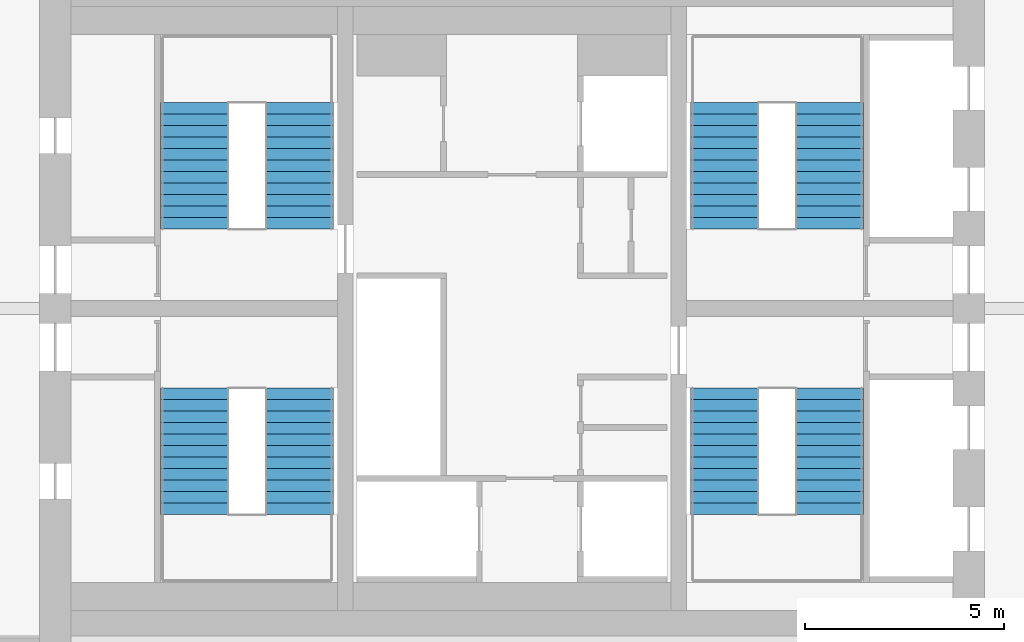
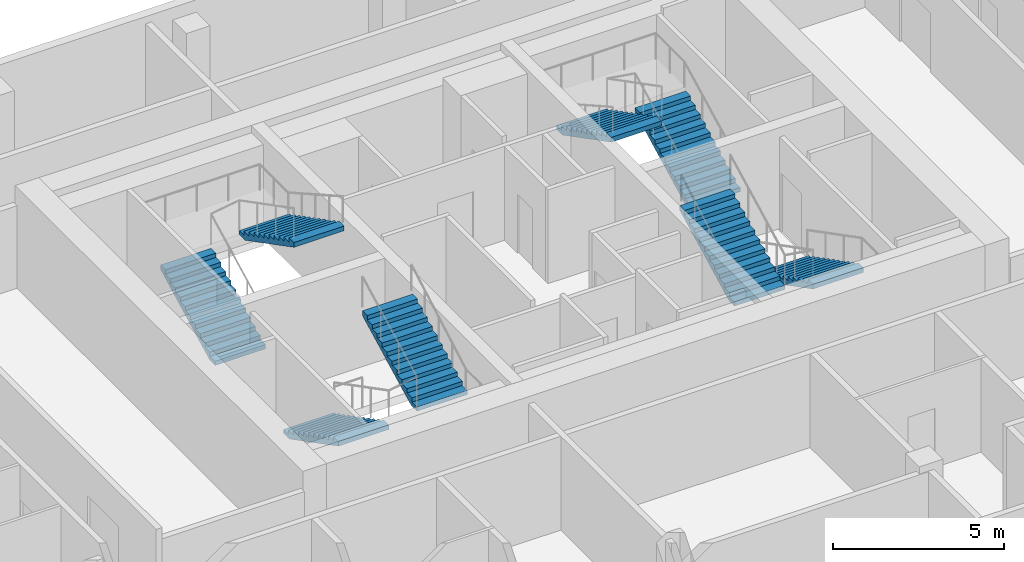
# One storey, part 30 of 31: 8 stair flights, 4 elements without a shape of their own.
"""IFC4 building model written with IfcOpenShell, lengths in metres."""

import ifcopenshell
import ifcopenshell.guid

model = None  # the IFC model being written
_history = None  # IfcOwnerHistory: only IFC2X3 demands one
_inside = {}  # id of a spatial element -> (the spatial element, [elements in it])
_under = {}  # id of a project, library or spatial element -> (it, [spatial elements below it])
_declared = {}  # id of a project -> (the project, [libraries it declares])
_typed = {}  # id of a type object -> (the type object, [elements of that type])
_made_of = {}  # id of a material, layer set ... -> (it, [elements and type objects made of it])


def new_model(schema):
    """Start an empty IFC model of exactly this schema.

    Asked for "IFC4X3", IfcOpenShell would pick the latest addendum, in which some entities
    have other attributes; the version numbers below select the first issue.
    IFC2X3 requires an IfcOwnerHistory on every rooted entity: one is made here for all.
    """
    global model, _history
    if schema == "IFC4X3":
        model = ifcopenshell.file(schema_version=(4, 3, 0, 0))
    else:
        model = ifcopenshell.file(schema=schema)
    _inside.clear()
    _under.clear()
    _declared.clear()
    _typed.clear()
    _made_of.clear()
    _history = None
    if model.schema == "IFC2X3":
        org = make("IfcOrganization", Name="unknown")
        user = make(
            "IfcPersonAndOrganization",
            ThePerson=make("IfcPerson", FamilyName="unknown"),
            TheOrganization=org,
        )
        app = make(
            "IfcApplication",
            ApplicationDeveloper=org,
            Version="unknown",
            ApplicationFullName="unknown",
            ApplicationIdentifier="unknown",
        )
        _history = make(
            "IfcOwnerHistory",
            OwningUser=user,
            OwningApplication=app,
            ChangeAction="ADDED",
            CreationDate=0,
        )
    return model


def make(cls, **values):
    """One entity of the class cls with the attributes given. An attribute that is None is left unset."""
    return model.create_entity(
        cls, **{name: value for name, value in values.items() if value is not None}
    )


def rooted(cls, **values):
    """An entity with a GlobalId (a new one), such as an element, a storey or a relation."""
    return make(cls, GlobalId=ifcopenshell.guid.new(), OwnerHistory=_history, **values)


def si_unit(unit_type, name, prefix=None):
    """IfcSIUnit, for example si_unit("LENGTHUNIT", "METRE", prefix="MILLI")."""
    return make("IfcSIUnit", UnitType=unit_type, Prefix=prefix, Name=name)


def assignment(units):
    """IfcUnitAssignment: the units of a project."""
    return None if units is None else make("IfcUnitAssignment", Units=units)


def point(xyz):
    """IfcCartesianPoint."""
    return None if xyz is None else make("IfcCartesianPoint", Coordinates=xyz)


def direction(xyz):
    """IfcDirection."""
    return None if xyz is None else make("IfcDirection", DirectionRatios=xyz)


def frame(location, z_axis=None, x_axis=None):
    """IfcAxis2Placement3D, a coordinate frame: its origin and axes. An axis left out is left unset."""
    return make(
        "IfcAxis2Placement3D",
        Location=point(location),
        Axis=direction(z_axis),
        RefDirection=direction(x_axis),
    )


def origin():
    """The frame at (0, 0, 0) with its axes left unset."""
    return frame((0.0, 0.0, 0.0))


def place(relative_to, where):
    """IfcLocalPlacement: puts the frame where relative to a parent placement (None: the world)."""
    return make(
        "IfcLocalPlacement", PlacementRelTo=relative_to, RelativePlacement=where
    )


def context(
    kind, dimensions, precision=None, world=None, true_north=None, identifier=None
):
    """IfcGeometricRepresentationContext, for example the 3D "Model" context."""
    return make(
        "IfcGeometricRepresentationContext",
        ContextIdentifier=identifier,
        ContextType=kind,
        CoordinateSpaceDimension=dimensions,
        Precision=precision,
        WorldCoordinateSystem=world,
        TrueNorth=true_north,
    )


def subcontext(parent, identifier, kind, view, scale=None):
    """IfcGeometricRepresentationSubContext, for example "Body" below "Model"."""
    return make(
        "IfcGeometricRepresentationSubContext",
        ContextIdentifier=identifier,
        ContextType=kind,
        ParentContext=parent,
        TargetScale=scale,
        TargetView=view,
    )


def project(units=None, contexts=None):
    """IfcProject with its units and contexts."""
    return rooted(
        "IfcProject",
        Name="project",
        RepresentationContexts=contexts,
        UnitsInContext=assignment(units),
    )


def spatial(cls, under=None, at=None, **own):
    """A site, building, storey or space (cls), placed at a placement, below another one or the project."""
    s = rooted(cls, ObjectPlacement=at, **own)
    if under is not None:
        _under.setdefault(under.id(), (under, []))[1].append(s)
    return s


def polyline(points):
    """IfcPolyline through the points."""
    return make("IfcPolyline", Points=[point(p) for p in points])


def outline(outer, holes=None, kind="AREA"):
    """IfcArbitraryClosedProfileDef: a profile drawn as a closed curve; with holes, ...WithVoids."""
    if holes is None:
        return make("IfcArbitraryClosedProfileDef", ProfileType=kind, OuterCurve=outer)
    return make(
        "IfcArbitraryProfileDefWithVoids",
        ProfileType=kind,
        OuterCurve=outer,
        InnerCurves=holes,
    )


def extrude(swept, where, along, depth):
    """IfcExtrudedAreaSolid: the profile swept, set in the frame where, extruded along a direction by depth."""
    return make(
        "IfcExtrudedAreaSolid",
        SweptArea=swept,
        Position=where,
        ExtrudedDirection=direction(along),
        Depth=depth,
    )


def shape(context_of_items, identifier, shape_type, items):
    """IfcShapeRepresentation: the items that make up one representation, for example the "Body"."""
    return make(
        "IfcShapeRepresentation",
        ContextOfItems=context_of_items,
        RepresentationIdentifier=identifier,
        RepresentationType=shape_type,
        Items=items,
    )


def material(Name=None, Category=None):
    """IfcMaterial."""
    return make("IfcMaterial", Name=Name, Category=Category)


def made_of(thing, what):
    """Note that an element or type object is made of a material, layer set ...; save() writes the relation."""
    if what is not None:
        _made_of.setdefault(what.id(), (what, []))[1].append(thing)
    return thing


def type_object(cls, material=None, **own):
    """A type object (cls), such as IfcWallType, which elements share."""
    return made_of(rooted(cls, **own), material)


def element(
    cls,
    number,
    at=None,
    inside=None,
    cuts=None,
    type_object=None,
    material=None,
    context=None,
    identifier="Body",
    shape_type=None,
    held_by="IfcProductDefinitionShape",
    body=None,
    shapes=None,
    **own,
):
    """One element of the class cls, such as IfcWall. Its Tag is "e" and its number.

    at: its placement. inside: the storey or other place that contains it. cuts: it is an
    opening in that element (IfcRelVoidsElement). A single representation is given by context,
    identifier, shape_type and body (its items); several are given by shapes. held_by: the class
    of the entity that holds the representations. save() writes the other relations.
    """
    e = rooted(cls, Tag="e%d" % number, ObjectPlacement=at, **own)
    if body is not None:
        shapes = [shape(context, identifier, shape_type, body)]
    if shapes is not None:
        e.Representation = make(held_by, Representations=shapes)
    if inside is not None:
        _inside.setdefault(inside.id(), (inside, []))[1].append(e)
    if cuts is not None:
        rooted(
            "IfcRelVoidsElement", RelatingBuildingElement=cuts, RelatedOpeningElement=e
        )
    if type_object is not None:
        _typed.setdefault(type_object.id(), (type_object, []))[1].append(e)
    return made_of(e, material)


def aggregate(whole, parts):
    """IfcRelAggregates: a whole, such as a stair, and the parts it consists of."""
    return rooted("IfcRelAggregates", RelatingObject=whole, RelatedObjects=parts)


def save(model, path):
    """Write the relations noted so far, then the file.

    IfcRelAggregates (storeys below a building ...), IfcRelContainedInSpatialStructure (elements
    in a storey), IfcRelDefinesByType, IfcRelAssociatesMaterial and IfcRelDeclares: one each for
    every whole, place, type object, material and project.
    """
    for whole, parts in _under.values():
        aggregate(whole, parts)
    for where, things in _inside.values():
        rooted(
            "IfcRelContainedInSpatialStructure",
            RelatedElements=things,
            RelatingStructure=where,
        )
    for kind, things in _typed.values():
        rooted("IfcRelDefinesByType", RelatedObjects=things, RelatingType=kind)
    for what, things in _made_of.values():
        rooted("IfcRelAssociatesMaterial", RelatedObjects=things, RelatingMaterial=what)
    for by, libraries in _declared.values():
        rooted("IfcRelDeclares", RelatingContext=by, RelatedDefinitions=libraries)
    model.write(path)


model = new_model("IFC4")

# Units and contexts
model_context = context("Model", 3, precision=1e-05, world=origin(), true_north=direction((0.0, 1.0)))
body_context = subcontext(model_context, "Body", "Model", "MODEL_VIEW")
ifc_project = project(units=[si_unit("LENGTHUNIT", "METRE"), si_unit("AREAUNIT", "SQUARE_METRE"), si_unit("VOLUMEUNIT", "CUBIC_METRE"), si_unit("PLANEANGLEUNIT", "RADIAN"), si_unit("MASSUNIT", "GRAM", prefix="KILO")], contexts=[model_context])

# Site, building, storey
site_placement = place(None, origin())
site = spatial("IfcSite", under=ifc_project, at=site_placement, CompositionType="ELEMENT")
building_placement = place(site_placement, origin())
building = spatial("IfcBuilding", under=site, at=building_placement, Name="Marenta Gate Hotel Tower", CompositionType="ELEMENT")
storey_placement = place(building_placement, frame((0.0, 0.0, 220.10009765625)))
storey = spatial("IfcBuildingStorey", under=building, at=storey_placement, Name="L51", CompositionType="ELEMENT", Elevation=220.10009765625)

# Stair, stair flights
ifc_material_1 = material(Name="Concrete C40", Category="concrete")
stair_type = type_object("IfcStairType", Name="Core exit stair 1700 wide", PredefinedType="HALF_TURN_STAIR", material=ifc_material_1)
stair_1_placement = place(storey_placement, origin())
stair_1 = element("IfcStair", 1, at=stair_1_placement, inside=storey, type_object=stair_type, Name="Exit stair 1", PredefinedType="HALF_TURN_STAIR")
ifc_material_2 = material(Name="Concrete C40", Category="concrete")
stair_flight_type = type_object("IfcStairFlightType", Name="Core stair flight 1700 riser 150.0 going 290", PredefinedType="STRAIGHT", material=ifc_material_2)
stair_flight_1_placement = place(storey_placement, frame((-8.0, 6.39990234375, 0.0), z_axis=(0.0, 0.0, 1.0), x_axis=(0.0, -1.0, 0.0)))
stair_flight_1 = element("IfcStairFlight", 2, at=stair_flight_1_placement, type_object=stair_flight_type, Name="ST1 flight 1", NumberOfRisers=12, NumberOfTreads=11, PredefinedType="STRAIGHT", RiserHeight=0.15, TreadLength=0.29, context=body_context, shape_type="SweptSolid", body=[
    extrude(outline(polyline([(0.0, 0.0), (0.0, 0.14990234375), (0.2900390625, 0.14990234375), (0.2900390625, 0.300048828125), (0.580078125, 0.300048828125), (0.580078125, 0.449951171875), (0.8701171875, 0.449951171875), (0.8701171875, 0.60009765625), (1.159912109375, 0.60009765625), (1.159912109375, 0.75), (1.449951171875, 0.75), (1.449951171875, 0.89990234375), (1.739990234375, 0.89990234375), (1.739990234375, 1.050048828125), (2.030029296875, 1.050048828125), (2.030029296875, 1.199951171875), (2.320068359375, 1.199951171875), (2.320068359375, 1.35009765625), (2.610107421875, 1.35009765625), (2.610107421875, 1.5), (2.89990234375, 1.5), (2.89990234375, 1.64990234375), (3.18994140625, 1.64990234375), (3.18994140625, 1.800048828125), (3.18994140625, 1.481201171875), (0.326171875, 0.0), (0.0, 0.0)])), frame((0.0, 0.85009765625, 0.0), z_axis=(0.0, -1.0, 0.0), x_axis=(1.0, 0.0, 0.0)), (0.0, 0.0, 1.0), 1.699951171875),
])
stair_flight_2_placement = place(storey_placement, frame((-5.35009765625, 3.2099609375, 1.7998046875), z_axis=(0.0, 0.0, 1.0), x_axis=(0.0, 1.0, 0.0)))
stair_flight_2 = element("IfcStairFlight", 3, at=stair_flight_2_placement, type_object=stair_flight_type, Name="ST1 flight 2", NumberOfRisers=12, NumberOfTreads=11, PredefinedType="STRAIGHT", RiserHeight=0.15, TreadLength=0.29, context=body_context, shape_type="SweptSolid", body=[
    extrude(outline(polyline([(0.0, 0.0), (0.0, 0.14990234375), (0.2900390625, 0.14990234375), (0.2900390625, 0.300048828125), (0.580078125, 0.300048828125), (0.580078125, 0.449951171875), (0.8701171875, 0.449951171875), (0.8701171875, 0.60009765625), (1.159912109375, 0.60009765625), (1.159912109375, 0.75), (1.449951171875, 0.75), (1.449951171875, 0.89990234375), (1.739990234375, 0.89990234375), (1.739990234375, 1.050048828125), (2.030029296875, 1.050048828125), (2.030029296875, 1.199951171875), (2.320068359375, 1.199951171875), (2.320068359375, 1.35009765625), (2.610107421875, 1.35009765625), (2.610107421875, 1.5), (2.89990234375, 1.5), (2.89990234375, 1.64990234375), (3.18994140625, 1.64990234375), (3.18994140625, 1.800048828125), (3.18994140625, 1.481201171875), (0.326171875, 0.0), (0.0, 0.0)])), frame((0.0, 0.85009765625, 0.0), z_axis=(0.0, -1.0, 0.0), x_axis=(1.0, 0.0, 0.0)), (0.0, 0.0, 1.0), 1.699951171875),
])
aggregate(stair_1, [stair_flight_1, stair_flight_2])

stair_2_placement = place(storey_placement, origin())
stair_2 = element("IfcStair", 4, at=stair_2_placement, inside=storey, type_object=stair_type, Name="Exit stair 2", PredefinedType="HALF_TURN_STAIR")
stair_flight_3_placement = place(storey_placement, frame((-8.0, 10.39990234375, 0.0), z_axis=(0.0, 0.0, 1.0), x_axis=(0.0, 1.0, 0.0)))
stair_flight_3 = element("IfcStairFlight", 5, at=stair_flight_3_placement, type_object=stair_flight_type, Name="ST2 flight 1", NumberOfRisers=12, NumberOfTreads=11, PredefinedType="STRAIGHT", RiserHeight=0.15, TreadLength=0.29, context=body_context, shape_type="SweptSolid", body=[
    extrude(outline(polyline([(0.0, 0.0), (0.0, 0.14990234375), (0.2900390625, 0.14990234375), (0.2900390625, 0.300048828125), (0.580078125, 0.300048828125), (0.580078125, 0.449951171875), (0.8701171875, 0.449951171875), (0.8701171875, 0.60009765625), (1.159912109375, 0.60009765625), (1.159912109375, 0.75), (1.449951171875, 0.75), (1.449951171875, 0.89990234375), (1.739990234375, 0.89990234375), (1.739990234375, 1.050048828125), (2.030029296875, 1.050048828125), (2.030029296875, 1.199951171875), (2.320068359375, 1.199951171875), (2.320068359375, 1.35009765625), (2.610107421875, 1.35009765625), (2.610107421875, 1.5), (2.89990234375, 1.5), (2.89990234375, 1.64990234375), (3.18994140625, 1.64990234375), (3.18994140625, 1.800048828125), (3.18994140625, 1.481201171875), (0.326171875, 0.0), (0.0, 0.0)])), frame((0.0, 0.85009765625, 0.0), z_axis=(0.0, -1.0, 0.0), x_axis=(1.0, 0.0, 0.0)), (0.0, 0.0, 1.0), 1.699951171875),
])
stair_flight_4_placement = place(storey_placement, frame((-5.35009765625, 13.590087890625, 1.7998046875), z_axis=(0.0, 0.0, 1.0), x_axis=(0.0, -1.0, 0.0)))
stair_flight_4 = element("IfcStairFlight", 6, at=stair_flight_4_placement, type_object=stair_flight_type, Name="ST2 flight 2", NumberOfRisers=12, NumberOfTreads=11, PredefinedType="STRAIGHT", RiserHeight=0.15, TreadLength=0.29, context=body_context, shape_type="SweptSolid", body=[
    extrude(outline(polyline([(0.0, 0.0), (0.0, 0.14990234375), (0.2900390625, 0.14990234375), (0.2900390625, 0.300048828125), (0.580078125, 0.300048828125), (0.580078125, 0.449951171875), (0.8701171875, 0.449951171875), (0.8701171875, 0.60009765625), (1.159912109375, 0.60009765625), (1.159912109375, 0.75), (1.449951171875, 0.75), (1.449951171875, 0.89990234375), (1.739990234375, 0.89990234375), (1.739990234375, 1.050048828125), (2.030029296875, 1.050048828125), (2.030029296875, 1.199951171875), (2.320068359375, 1.199951171875), (2.320068359375, 1.35009765625), (2.610107421875, 1.35009765625), (2.610107421875, 1.5), (2.89990234375, 1.5), (2.89990234375, 1.64990234375), (3.18994140625, 1.64990234375), (3.18994140625, 1.800048828125), (3.18994140625, 1.481201171875), (0.326171875, 0.0), (0.0, 0.0)])), frame((0.0, 0.85009765625, 0.0), z_axis=(0.0, -1.0, 0.0), x_axis=(1.0, 0.0, 0.0)), (0.0, 0.0, 1.0), 1.699951171875),
])
aggregate(stair_2, [stair_flight_3, stair_flight_4])

stair_3_placement = place(storey_placement, origin())
stair_3 = element("IfcStair", 7, at=stair_3_placement, inside=storey, type_object=stair_type, Name="Exit stair 3", PredefinedType="HALF_TURN_STAIR")
stair_flight_5_placement = place(storey_placement, frame((8.0, 6.39990234375, 0.0), z_axis=(0.0, 0.0, 1.0), x_axis=(0.0, -1.0, 0.0)))
stair_flight_5 = element("IfcStairFlight", 8, at=stair_flight_5_placement, type_object=stair_flight_type, Name="ST3 flight 1", NumberOfRisers=12, NumberOfTreads=11, PredefinedType="STRAIGHT", RiserHeight=0.15, TreadLength=0.29, context=body_context, shape_type="SweptSolid", body=[
    extrude(outline(polyline([(0.0, 0.0), (0.0, 0.14990234375), (0.2900390625, 0.14990234375), (0.2900390625, 0.300048828125), (0.580078125, 0.300048828125), (0.580078125, 0.449951171875), (0.8701171875, 0.449951171875), (0.8701171875, 0.60009765625), (1.159912109375, 0.60009765625), (1.159912109375, 0.75), (1.449951171875, 0.75), (1.449951171875, 0.89990234375), (1.739990234375, 0.89990234375), (1.739990234375, 1.050048828125), (2.030029296875, 1.050048828125), (2.030029296875, 1.199951171875), (2.320068359375, 1.199951171875), (2.320068359375, 1.35009765625), (2.610107421875, 1.35009765625), (2.610107421875, 1.5), (2.89990234375, 1.5), (2.89990234375, 1.64990234375), (3.18994140625, 1.64990234375), (3.18994140625, 1.800048828125), (3.18994140625, 1.481201171875), (0.326171875, 0.0), (0.0, 0.0)])), frame((0.0, 0.85009765625, 0.0), z_axis=(0.0, -1.0, 0.0), x_axis=(1.0, 0.0, 0.0)), (0.0, 0.0, 1.0), 1.699951171875),
])
stair_flight_6_placement = place(storey_placement, frame((5.35009765625, 3.2099609375, 1.7998046875), z_axis=(0.0, 0.0, 1.0), x_axis=(0.0, 1.0, 0.0)))
stair_flight_6 = element("IfcStairFlight", 9, at=stair_flight_6_placement, type_object=stair_flight_type, Name="ST3 flight 2", NumberOfRisers=12, NumberOfTreads=11, PredefinedType="STRAIGHT", RiserHeight=0.15, TreadLength=0.29, context=body_context, shape_type="SweptSolid", body=[
    extrude(outline(polyline([(0.0, 0.0), (0.0, 0.14990234375), (0.2900390625, 0.14990234375), (0.2900390625, 0.300048828125), (0.580078125, 0.300048828125), (0.580078125, 0.449951171875), (0.8701171875, 0.449951171875), (0.8701171875, 0.60009765625), (1.159912109375, 0.60009765625), (1.159912109375, 0.75), (1.449951171875, 0.75), (1.449951171875, 0.89990234375), (1.739990234375, 0.89990234375), (1.739990234375, 1.050048828125), (2.030029296875, 1.050048828125), (2.030029296875, 1.199951171875), (2.320068359375, 1.199951171875), (2.320068359375, 1.35009765625), (2.610107421875, 1.35009765625), (2.610107421875, 1.5), (2.89990234375, 1.5), (2.89990234375, 1.64990234375), (3.18994140625, 1.64990234375), (3.18994140625, 1.800048828125), (3.18994140625, 1.481201171875), (0.326171875, 0.0), (0.0, 0.0)])), frame((0.0, 0.85009765625, 0.0), z_axis=(0.0, -1.0, 0.0), x_axis=(1.0, 0.0, 0.0)), (0.0, 0.0, 1.0), 1.699951171875),
])
aggregate(stair_3, [stair_flight_5, stair_flight_6])

stair_4_placement = place(storey_placement, origin())
stair_4 = element("IfcStair", 10, at=stair_4_placement, inside=storey, type_object=stair_type, Name="Exit stair 4", PredefinedType="HALF_TURN_STAIR")
stair_flight_7_placement = place(storey_placement, frame((8.0, 10.39990234375, 0.0), z_axis=(0.0, 0.0, 1.0), x_axis=(0.0, 1.0, 0.0)))
stair_flight_7 = element("IfcStairFlight", 11, at=stair_flight_7_placement, type_object=stair_flight_type, Name="ST4 flight 1", NumberOfRisers=12, NumberOfTreads=11, PredefinedType="STRAIGHT", RiserHeight=0.15, TreadLength=0.29, context=body_context, shape_type="SweptSolid", body=[
    extrude(outline(polyline([(0.0, 0.0), (0.0, 0.14990234375), (0.2900390625, 0.14990234375), (0.2900390625, 0.300048828125), (0.580078125, 0.300048828125), (0.580078125, 0.449951171875), (0.8701171875, 0.449951171875), (0.8701171875, 0.60009765625), (1.159912109375, 0.60009765625), (1.159912109375, 0.75), (1.449951171875, 0.75), (1.449951171875, 0.89990234375), (1.739990234375, 0.89990234375), (1.739990234375, 1.050048828125), (2.030029296875, 1.050048828125), (2.030029296875, 1.199951171875), (2.320068359375, 1.199951171875), (2.320068359375, 1.35009765625), (2.610107421875, 1.35009765625), (2.610107421875, 1.5), (2.89990234375, 1.5), (2.89990234375, 1.64990234375), (3.18994140625, 1.64990234375), (3.18994140625, 1.800048828125), (3.18994140625, 1.481201171875), (0.326171875, 0.0), (0.0, 0.0)])), frame((0.0, 0.85009765625, 0.0), z_axis=(0.0, -1.0, 0.0), x_axis=(1.0, 0.0, 0.0)), (0.0, 0.0, 1.0), 1.699951171875),
])
stair_flight_8_placement = place(storey_placement, frame((5.35009765625, 13.590087890625, 1.7998046875), z_axis=(0.0, 0.0, 1.0), x_axis=(0.0, -1.0, 0.0)))
stair_flight_8 = element("IfcStairFlight", 12, at=stair_flight_8_placement, type_object=stair_flight_type, Name="ST4 flight 2", NumberOfRisers=12, NumberOfTreads=11, PredefinedType="STRAIGHT", RiserHeight=0.15, TreadLength=0.29, context=body_context, shape_type="SweptSolid", body=[
    extrude(outline(polyline([(0.0, 0.0), (0.0, 0.14990234375), (0.2900390625, 0.14990234375), (0.2900390625, 0.300048828125), (0.580078125, 0.300048828125), (0.580078125, 0.449951171875), (0.8701171875, 0.449951171875), (0.8701171875, 0.60009765625), (1.159912109375, 0.60009765625), (1.159912109375, 0.75), (1.449951171875, 0.75), (1.449951171875, 0.89990234375), (1.739990234375, 0.89990234375), (1.739990234375, 1.050048828125), (2.030029296875, 1.050048828125), (2.030029296875, 1.199951171875), (2.320068359375, 1.199951171875), (2.320068359375, 1.35009765625), (2.610107421875, 1.35009765625), (2.610107421875, 1.5), (2.89990234375, 1.5), (2.89990234375, 1.64990234375), (3.18994140625, 1.64990234375), (3.18994140625, 1.800048828125), (3.18994140625, 1.481201171875), (0.326171875, 0.0), (0.0, 0.0)])), frame((0.0, 0.85009765625, 0.0), z_axis=(0.0, -1.0, 0.0), x_axis=(1.0, 0.0, 0.0)), (0.0, 0.0, 1.0), 1.699951171875),
])
aggregate(stair_4, [stair_flight_7, stair_flight_8])

save(model, "model.ifc")
